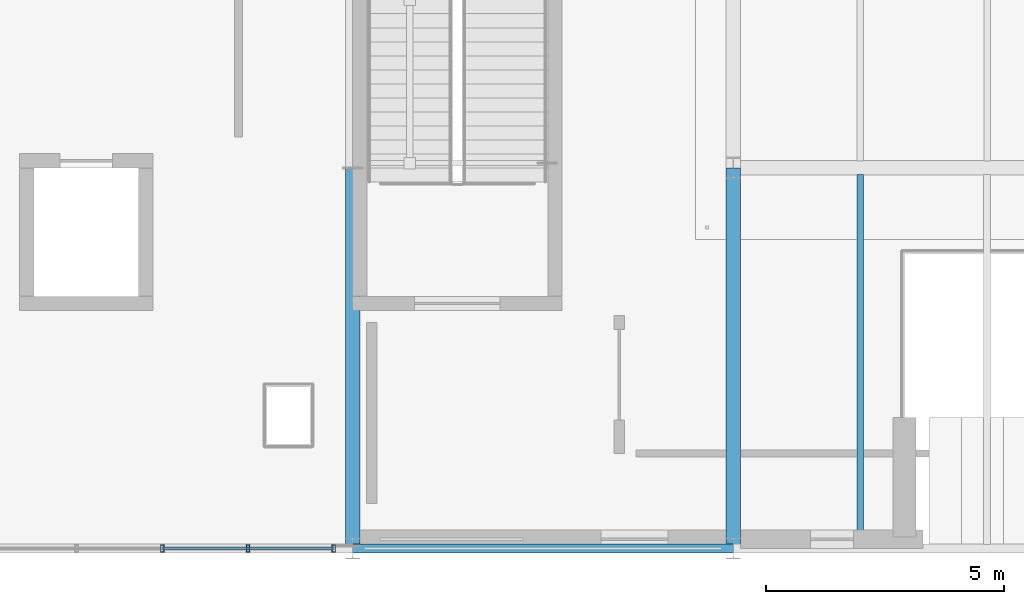
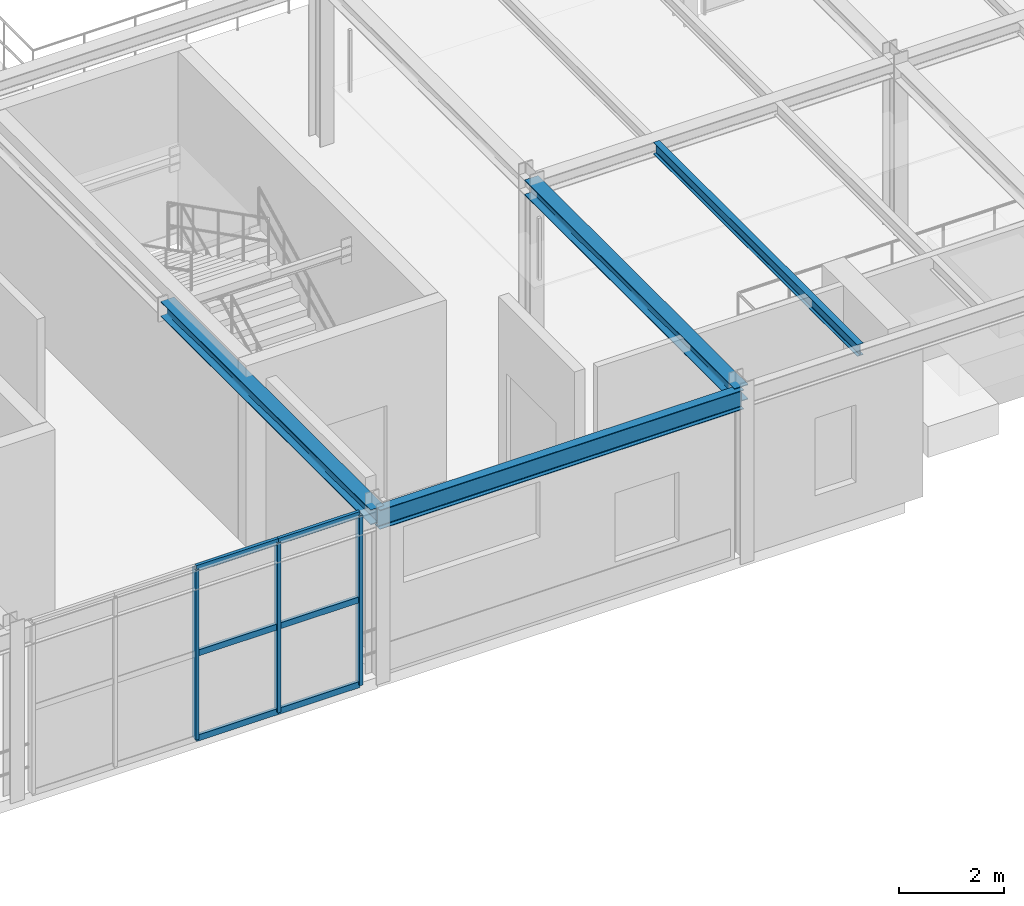
# One storey, part 42 of 124: 9 members, 4 beams, 1 element without a shape of its own.
"""IFC4 building model written with IfcOpenShell, lengths in metres."""

import ifcopenshell
import ifcopenshell.guid

model = None  # the IFC model being written
_history = None  # IfcOwnerHistory: only IFC2X3 demands one
_inside = {}  # id of a spatial element -> (the spatial element, [elements in it])
_under = {}  # id of a project, library or spatial element -> (it, [spatial elements below it])
_declared = {}  # id of a project -> (the project, [libraries it declares])
_typed = {}  # id of a type object -> (the type object, [elements of that type])
_made_of = {}  # id of a material, layer set ... -> (it, [elements and type objects made of it])


def new_model(schema):
    """Start an empty IFC model of exactly this schema.

    Asked for "IFC4X3", IfcOpenShell would pick the latest addendum, in which some entities
    have other attributes; the version numbers below select the first issue.
    IFC2X3 requires an IfcOwnerHistory on every rooted entity: one is made here for all.
    """
    global model, _history
    if schema == "IFC4X3":
        model = ifcopenshell.file(schema_version=(4, 3, 0, 0))
    else:
        model = ifcopenshell.file(schema=schema)
    _inside.clear()
    _under.clear()
    _declared.clear()
    _typed.clear()
    _made_of.clear()
    _history = None
    if model.schema == "IFC2X3":
        org = make("IfcOrganization", Name="unknown")
        user = make(
            "IfcPersonAndOrganization",
            ThePerson=make("IfcPerson", FamilyName="unknown"),
            TheOrganization=org,
        )
        app = make(
            "IfcApplication",
            ApplicationDeveloper=org,
            Version="unknown",
            ApplicationFullName="unknown",
            ApplicationIdentifier="unknown",
        )
        _history = make(
            "IfcOwnerHistory",
            OwningUser=user,
            OwningApplication=app,
            ChangeAction="ADDED",
            CreationDate=0,
        )
    return model


def make(cls, **values):
    """One entity of the class cls with the attributes given. An attribute that is None is left unset."""
    return model.create_entity(
        cls, **{name: value for name, value in values.items() if value is not None}
    )


def rooted(cls, **values):
    """An entity with a GlobalId (a new one), such as an element, a storey or a relation."""
    return make(cls, GlobalId=ifcopenshell.guid.new(), OwnerHistory=_history, **values)


def si_unit(unit_type, name, prefix=None):
    """IfcSIUnit, for example si_unit("LENGTHUNIT", "METRE", prefix="MILLI")."""
    return make("IfcSIUnit", UnitType=unit_type, Prefix=prefix, Name=name)


def assignment(units):
    """IfcUnitAssignment: the units of a project."""
    return None if units is None else make("IfcUnitAssignment", Units=units)


def point(xyz):
    """IfcCartesianPoint."""
    return None if xyz is None else make("IfcCartesianPoint", Coordinates=xyz)


def direction(xyz):
    """IfcDirection."""
    return None if xyz is None else make("IfcDirection", DirectionRatios=xyz)


def frame(location, z_axis=None, x_axis=None):
    """IfcAxis2Placement3D, a coordinate frame: its origin and axes. An axis left out is left unset."""
    return make(
        "IfcAxis2Placement3D",
        Location=point(location),
        Axis=direction(z_axis),
        RefDirection=direction(x_axis),
    )


def frame_2d(location, x_axis=None):
    """IfcAxis2Placement2D, a coordinate frame in the plane: its origin and x axis."""
    return make(
        "IfcAxis2Placement2D", Location=point(location), RefDirection=direction(x_axis)
    )


def origin():
    """The frame at (0, 0, 0) with its axes left unset."""
    return frame((0.0, 0.0, 0.0))


def origin_2d():
    """The frame at (0, 0) in the plane with its x axis left unset."""
    return frame_2d((0.0, 0.0))


def place(relative_to, where):
    """IfcLocalPlacement: puts the frame where relative to a parent placement (None: the world)."""
    return make(
        "IfcLocalPlacement", PlacementRelTo=relative_to, RelativePlacement=where
    )


def context(
    kind, dimensions, precision=None, world=None, true_north=None, identifier=None
):
    """IfcGeometricRepresentationContext, for example the 3D "Model" context."""
    return make(
        "IfcGeometricRepresentationContext",
        ContextIdentifier=identifier,
        ContextType=kind,
        CoordinateSpaceDimension=dimensions,
        Precision=precision,
        WorldCoordinateSystem=world,
        TrueNorth=true_north,
    )


def subcontext(parent, identifier, kind, view, scale=None):
    """IfcGeometricRepresentationSubContext, for example "Body" below "Model"."""
    return make(
        "IfcGeometricRepresentationSubContext",
        ContextIdentifier=identifier,
        ContextType=kind,
        ParentContext=parent,
        TargetScale=scale,
        TargetView=view,
    )


def project(units=None, contexts=None):
    """IfcProject with its units and contexts."""
    return rooted(
        "IfcProject",
        Name="project",
        RepresentationContexts=contexts,
        UnitsInContext=assignment(units),
    )


def spatial(cls, under=None, at=None, **own):
    """A site, building, storey or space (cls), placed at a placement, below another one or the project."""
    s = rooted(cls, ObjectPlacement=at, **own)
    if under is not None:
        _under.setdefault(under.id(), (under, []))[1].append(s)
    return s


def profile(cls, at=None, kind="AREA", **sizes):
    """A parametric profile (cls). Its sizes go by their IFC names, for example OverallWidth=200.0."""
    return make(cls, ProfileType=kind, Position=at, **sizes)


def hollow_rectangle(**sizes):
    """IfcRectangleHollowProfileDef."""
    return profile("IfcRectangleHollowProfileDef", **sizes)


def i_section(**sizes):
    """IfcIShapeProfileDef."""
    return profile("IfcIShapeProfileDef", **sizes)


def extrude(swept, where, along, depth):
    """IfcExtrudedAreaSolid: the profile swept, set in the frame where, extruded along a direction by depth."""
    return make(
        "IfcExtrudedAreaSolid",
        SweptArea=swept,
        Position=where,
        ExtrudedDirection=direction(along),
        Depth=depth,
    )


def shape(context_of_items, identifier, shape_type, items):
    """IfcShapeRepresentation: the items that make up one representation, for example the "Body"."""
    return make(
        "IfcShapeRepresentation",
        ContextOfItems=context_of_items,
        RepresentationIdentifier=identifier,
        RepresentationType=shape_type,
        Items=items,
    )


def material(Name=None, Category=None):
    """IfcMaterial."""
    return make("IfcMaterial", Name=Name, Category=Category)


def material_profile(
    of_material, cross_section, Name=None, Category=None, Priority=None
):
    """IfcMaterialProfile: a cross section and its material."""
    return make(
        "IfcMaterialProfile",
        Name=Name,
        Material=of_material,
        Profile=cross_section,
        Priority=Priority,
        Category=Category,
    )


def profile_set(profiles, Name=None, composite=None):
    """IfcMaterialProfileSet."""
    return make(
        "IfcMaterialProfileSet",
        Name=Name,
        MaterialProfiles=profiles,
        CompositeProfile=composite,
    )


def made_of(thing, what):
    """Note that an element or type object is made of a material, layer set ...; save() writes the relation."""
    if what is not None:
        _made_of.setdefault(what.id(), (what, []))[1].append(thing)
    return thing


def type_object(cls, material=None, **own):
    """A type object (cls), such as IfcWallType, which elements share."""
    return made_of(rooted(cls, **own), material)


def element(
    cls,
    number,
    at=None,
    inside=None,
    cuts=None,
    type_object=None,
    material=None,
    context=None,
    identifier="Body",
    shape_type=None,
    held_by="IfcProductDefinitionShape",
    body=None,
    shapes=None,
    **own,
):
    """One element of the class cls, such as IfcWall. Its Tag is "e" and its number.

    at: its placement. inside: the storey or other place that contains it. cuts: it is an
    opening in that element (IfcRelVoidsElement). A single representation is given by context,
    identifier, shape_type and body (its items); several are given by shapes. held_by: the class
    of the entity that holds the representations. save() writes the other relations.
    """
    e = rooted(cls, Tag="e%d" % number, ObjectPlacement=at, **own)
    if body is not None:
        shapes = [shape(context, identifier, shape_type, body)]
    if shapes is not None:
        e.Representation = make(held_by, Representations=shapes)
    if inside is not None:
        _inside.setdefault(inside.id(), (inside, []))[1].append(e)
    if cuts is not None:
        rooted(
            "IfcRelVoidsElement", RelatingBuildingElement=cuts, RelatedOpeningElement=e
        )
    if type_object is not None:
        _typed.setdefault(type_object.id(), (type_object, []))[1].append(e)
    return made_of(e, material)


def aggregate(whole, parts):
    """IfcRelAggregates: a whole, such as a stair, and the parts it consists of."""
    return rooted("IfcRelAggregates", RelatingObject=whole, RelatedObjects=parts)


def save(model, path):
    """Write the relations noted so far, then the file.

    IfcRelAggregates (storeys below a building ...), IfcRelContainedInSpatialStructure (elements
    in a storey), IfcRelDefinesByType, IfcRelAssociatesMaterial and IfcRelDeclares: one each for
    every whole, place, type object, material and project.
    """
    for whole, parts in _under.values():
        aggregate(whole, parts)
    for where, things in _inside.values():
        rooted(
            "IfcRelContainedInSpatialStructure",
            RelatedElements=things,
            RelatingStructure=where,
        )
    for kind, things in _typed.values():
        rooted("IfcRelDefinesByType", RelatedObjects=things, RelatingType=kind)
    for what, things in _made_of.values():
        rooted("IfcRelAssociatesMaterial", RelatedObjects=things, RelatingMaterial=what)
    for by, libraries in _declared.values():
        rooted("IfcRelDeclares", RelatingContext=by, RelatedDefinitions=libraries)
    model.write(path)


model = new_model("IFC4")

# Units and contexts
model_context = context("Model", 3, precision=1e-05, world=origin(), true_north=direction((0.0, 1.0)))
body_context = subcontext(model_context, "Body", "Model", "MODEL_VIEW")
ifc_project = project(units=[si_unit("LENGTHUNIT", "METRE"), si_unit("AREAUNIT", "SQUARE_METRE"), si_unit("VOLUMEUNIT", "CUBIC_METRE"), si_unit("PLANEANGLEUNIT", "RADIAN"), si_unit("MASSUNIT", "GRAM", prefix="KILO")], contexts=[model_context])

# Site, building, storey
site_placement = place(None, origin())
site = spatial("IfcSite", under=ifc_project, at=site_placement, CompositionType="ELEMENT")
building_placement = place(site_placement, origin())
building = spatial("IfcBuilding", under=site, at=building_placement, Name="Sundkrona Museum", CompositionType="ELEMENT")
storey_placement = place(building_placement, frame((0.0, 0.0, 17.60009765625)))
storey = spatial("IfcBuildingStorey", under=building, at=storey_placement, Name="L03", CompositionType="ELEMENT", Elevation=17.60009765625)

# Beams
ifc_material_1 = material(Name="Steel S355J2", Category="steel")
ifc_material_profile_1 = material_profile(ifc_material_1, i_section(OverallWidth=0.300048828125, OverallDepth=0.35009765625, WebThickness=0.010009765625, FlangeThickness=0.017578125, FilletRadius=0.027099609375, at=origin_2d()), Name="HEA 360")
ifc_profile_set_1 = profile_set([ifc_material_profile_1], Name="Steel S355J2")
beam_type_1 = type_object("IfcBeamType", Name="B-HEA360", PredefinedType="BEAM", material=ifc_profile_set_1)
for number, where, z_axis, x_axis, name in (
    (1, (120.0, 0.0, 3.764892578125), (0.0, 1.0, 0.0), (-1.0, 0.0, 0.0), "L03 Girder Y-1622"),
    (2, (128.0, 0.0, 3.784912109375), (0.0, 1.0, 0.0), (-1.0, 0.0, 0.0), "L03 Girder Y-1628"),
):
    element("IfcBeam", number, at=place(storey_placement, frame(where, z_axis=z_axis, x_axis=x_axis)), inside=storey, type_object=beam_type_1, Name=name, PredefinedType="BEAM", context=body_context, shape_type="SweptSolid", body=[
        extrude(i_section(OverallWidth=0.300048828125, OverallDepth=0.35009765625, WebThickness=0.010009765625, FlangeThickness=0.017578125, FilletRadius=0.027099609375, at=origin_2d()), origin(), (0.0, 0.0, 1.0), 8.0),
    ])
ifc_material_profile_2 = material_profile(ifc_material_1, i_section(OverallWidth=0.135009765625, OverallDepth=0.27001953125, WebThickness=0.006591796875, FlangeThickness=0.01025390625, FilletRadius=0.014892578125, at=origin_2d()), Name="IPE 270")
ifc_profile_set_2 = profile_set([ifc_material_profile_2], Name="Steel S355J2")
beam_type_2 = type_object("IfcBeamType", Name="J-IPE270", PredefinedType="JOIST", material=ifc_profile_set_2)
beam_1_placement = place(storey_placement, frame((130.666748046875, 0.089111328125, 3.824951171875), z_axis=(0.0, 1.0, 0.0), x_axis=(-1.0, 0.0, 0.0)))
element("IfcBeam", 3, at=beam_1_placement, inside=storey, type_object=beam_type_2, Name="L03 Composite Joist 1074", PredefinedType="JOIST", context=body_context, shape_type="SweptSolid", body=[
    extrude(i_section(OverallWidth=0.135009765625, OverallDepth=0.27001953125, WebThickness=0.006591796875, FlangeThickness=0.01025390625, FilletRadius=0.014892578125, at=origin_2d()), origin(), (0.0, 0.0, 1.0), 7.766845703125),
])

# Curtain wall, members
ifc_material_2 = material(Name="Unitised Aluminium-Steel and Ceramic-Clad Curtain Walling", Category="steel")
curtain_wall_type = type_object("IfcCurtainWallType", Name="CW-AT-72x38", PredefinedType="NOTDEFINED", material=ifc_material_2)
curtain_wall_placement = place(storey_placement, origin())
curtain_wall = element("IfcCurtainWall", 4, at=curtain_wall_placement, inside=storey, type_object=curtain_wall_type, Name="L03 Curtain Wall CW-L03-064", PredefinedType="NOTDEFINED")
ifc_material_3 = material(Name="Aluminium EN AW-6060 T66", Category="aluminium")
ifc_material_profile_3 = material_profile(ifc_material_3, hollow_rectangle(XDim=0.074951171875, YDim=0.14990234375, WallThickness=0.00634765625, at=origin_2d()), Name="RHS 150x75x6.3")
ifc_profile_set_3 = profile_set([ifc_material_profile_3], Name="Aluminium EN AW-6060 T66")
member_type_1 = type_object("IfcMemberType", Name="ML-150", PredefinedType="MULLION", material=ifc_profile_set_3)
member_1_placement = place(storey_placement, frame((116.0, 0.0, -0.004150390625), z_axis=(0.0, 0.0, 1.0), x_axis=(1.0, 0.0, 0.0)))
member_1 = element("IfcMember", 5, at=member_1_placement, type_object=member_type_1, Name="CW-L03-064 Mullion 03", PredefinedType="MULLION", context=body_context, shape_type="SweptSolid", body=[
    extrude(hollow_rectangle(XDim=0.074951171875, YDim=0.14990234375, WallThickness=0.00634765625, at=origin_2d()), origin(), (0.0, 0.0, 1.0), 3.947998046875),
])
member_2_placement = place(storey_placement, frame((117.800048828125, 0.0, -0.004150390625), z_axis=(0.0, 0.0, 1.0), x_axis=(1.0, 0.0, 0.0)))
member_2 = element("IfcMember", 6, at=member_2_placement, type_object=member_type_1, Name="CW-L03-064 Mullion 04", PredefinedType="MULLION", context=body_context, shape_type="SweptSolid", body=[
    extrude(hollow_rectangle(XDim=0.074951171875, YDim=0.14990234375, WallThickness=0.00634765625, at=origin_2d()), origin(), (0.0, 0.0, 1.0), 3.947998046875),
])
member_3_placement = place(storey_placement, frame((119.60009765625, 0.0, -0.004150390625), z_axis=(0.0, 0.0, 1.0), x_axis=(1.0, 0.0, 0.0)))
member_3 = element("IfcMember", 7, at=member_3_placement, type_object=member_type_1, Name="CW-L03-064 Mullion 05", PredefinedType="MULLION", context=body_context, shape_type="SweptSolid", body=[
    extrude(hollow_rectangle(XDim=0.074951171875, YDim=0.14990234375, WallThickness=0.00634765625, at=origin_2d()), origin(), (0.0, 0.0, 1.0), 3.947998046875),
])

# Beam
ifc_material_profile_4 = material_profile(ifc_material_1, i_section(OverallWidth=0.18994140625, OverallDepth=0.449951171875, WebThickness=0.009521484375, FlangeThickness=0.0146484375, FilletRadius=0.02099609375, at=origin_2d()), Name="IPE 450")
ifc_profile_set_4 = profile_set([ifc_material_profile_4], Name="Steel S355J2")
beam_type_3 = type_object("IfcBeamType", Name="SP-IPE450", PredefinedType="SPANDREL", material=ifc_profile_set_4)
beam_2_placement = place(storey_placement, frame((120.0, 0.0, 3.71484375), z_axis=(1.0, 0.0, 0.0), x_axis=(0.0, 1.0, 0.0)))
element("IfcBeam", 8, at=beam_2_placement, inside=storey, type_object=beam_type_3, Name="L03 Girder X-1415", PredefinedType="SPANDREL", context=body_context, shape_type="SweptSolid", body=[
    extrude(i_section(OverallWidth=0.18994140625, OverallDepth=0.449951171875, WebThickness=0.009521484375, FlangeThickness=0.0146484375, FilletRadius=0.02099609375, at=origin_2d()), origin(), (0.0, 0.0, 1.0), 8.0),
])

# Member
ifc_material_profile_5 = material_profile(ifc_material_3, hollow_rectangle(XDim=0.070068359375, YDim=0.139892578125, WallThickness=0.0048828125, at=origin_2d()), Name="RHS 140x70x5.0")
ifc_profile_set_5 = profile_set([ifc_material_profile_5], Name="Aluminium EN AW-6060 T66")
member_type_2 = type_object("IfcMemberType", Name="TR-140", PredefinedType="USERDEFINED", material=ifc_profile_set_5)
member_4_placement = place(storey_placement, frame((116.0, 0.0, -0.004150390625), z_axis=(1.0, 0.0, 0.0), x_axis=(0.0, 1.0, 0.0)))
member_4 = element("IfcMember", 9, at=member_4_placement, type_object=member_type_2, Name="CW-L03-064 Transom 07", ObjectType="TRANSOM", PredefinedType="USERDEFINED", context=body_context, shape_type="SweptSolid", body=[
    extrude(hollow_rectangle(XDim=0.070068359375, YDim=0.139892578125, WallThickness=0.0048828125, at=origin_2d()), origin(), (0.0, 0.0, 1.0), 1.800048828125),
])

member_5_placement = place(storey_placement, frame((116.0, 0.0, 1.969970703125), z_axis=(1.0, 0.0, 0.0), x_axis=(0.0, 1.0, 0.0)))
member_5 = element("IfcMember", 10, at=member_5_placement, type_object=member_type_2, Name="CW-L03-064 Transom 08", ObjectType="TRANSOM", PredefinedType="USERDEFINED", context=body_context, shape_type="SweptSolid", body=[
    extrude(hollow_rectangle(XDim=0.070068359375, YDim=0.139892578125, WallThickness=0.0048828125, at=origin_2d()), origin(), (0.0, 0.0, 1.0), 1.800048828125),
])

member_6_placement = place(storey_placement, frame((116.0, 0.0, 3.94384765625), z_axis=(1.0, 0.0, 0.0), x_axis=(0.0, 1.0, 0.0)))
member_6 = element("IfcMember", 11, at=member_6_placement, type_object=member_type_2, Name="CW-L03-064 Transom 09", ObjectType="TRANSOM", PredefinedType="USERDEFINED", context=body_context, shape_type="SweptSolid", body=[
    extrude(hollow_rectangle(XDim=0.070068359375, YDim=0.139892578125, WallThickness=0.0048828125, at=origin_2d()), origin(), (0.0, 0.0, 1.0), 1.800048828125),
])

member_7_placement = place(storey_placement, frame((117.800048828125, 0.0, -0.004150390625), z_axis=(1.0, 0.0, 0.0), x_axis=(0.0, 1.0, 0.0)))
member_7 = element("IfcMember", 12, at=member_7_placement, type_object=member_type_2, Name="CW-L03-064 Transom 10", ObjectType="TRANSOM", PredefinedType="USERDEFINED", context=body_context, shape_type="SweptSolid", body=[
    extrude(hollow_rectangle(XDim=0.070068359375, YDim=0.139892578125, WallThickness=0.0048828125, at=origin_2d()), origin(), (0.0, 0.0, 1.0), 1.800048828125),
])

member_8_placement = place(storey_placement, frame((117.800048828125, 0.0, 1.969970703125), z_axis=(1.0, 0.0, 0.0), x_axis=(0.0, 1.0, 0.0)))
member_8 = element("IfcMember", 13, at=member_8_placement, type_object=member_type_2, Name="CW-L03-064 Transom 11", ObjectType="TRANSOM", PredefinedType="USERDEFINED", context=body_context, shape_type="SweptSolid", body=[
    extrude(hollow_rectangle(XDim=0.070068359375, YDim=0.139892578125, WallThickness=0.0048828125, at=origin_2d()), origin(), (0.0, 0.0, 1.0), 1.800048828125),
])

member_9_placement = place(storey_placement, frame((117.800048828125, 0.0, 3.94384765625), z_axis=(1.0, 0.0, 0.0), x_axis=(0.0, 1.0, 0.0)))
member_9 = element("IfcMember", 14, at=member_9_placement, type_object=member_type_2, Name="CW-L03-064 Transom 12", ObjectType="TRANSOM", PredefinedType="USERDEFINED", context=body_context, shape_type="SweptSolid", body=[
    extrude(hollow_rectangle(XDim=0.070068359375, YDim=0.139892578125, WallThickness=0.0048828125, at=origin_2d()), origin(), (0.0, 0.0, 1.0), 1.800048828125),
])

aggregate(curtain_wall, [member_1, member_2, member_3, member_4, member_5, member_6, member_7, member_8, member_9])

save(model, "model.ifc")
